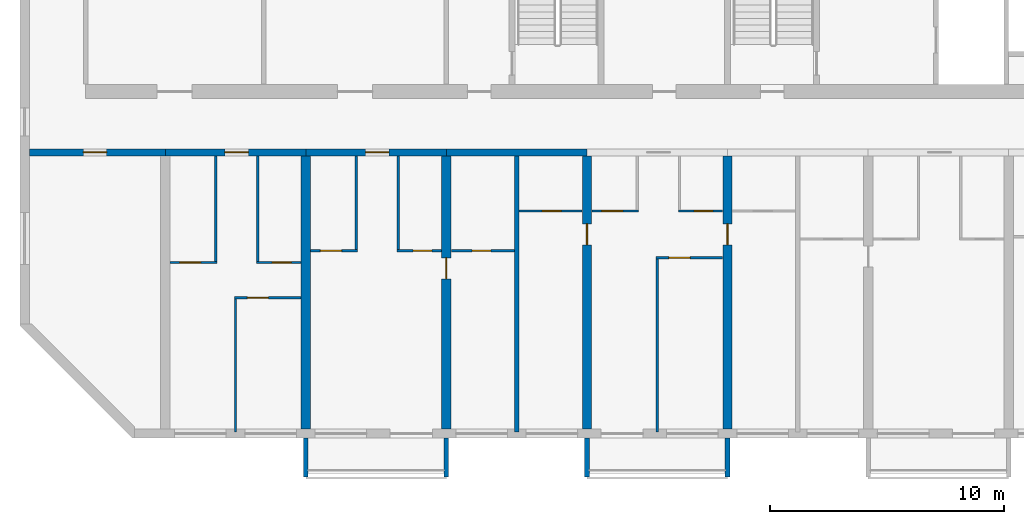
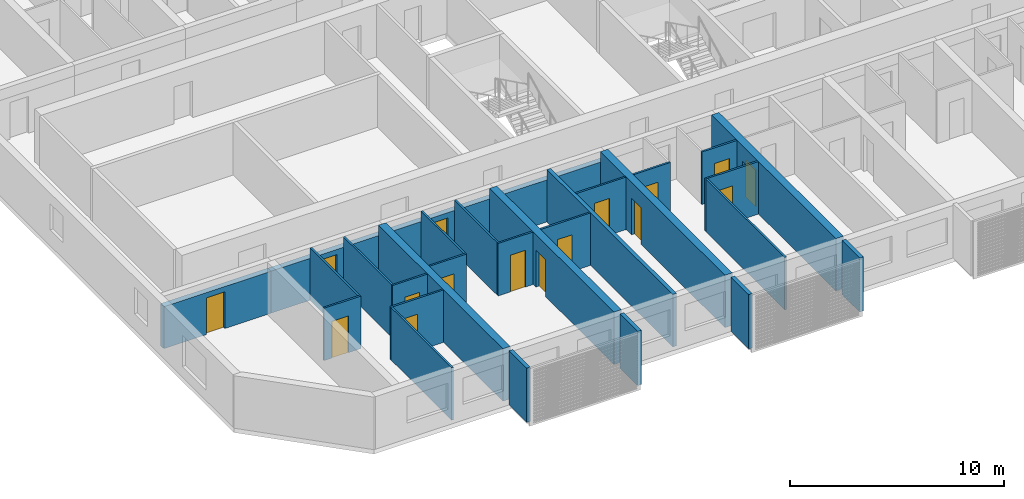
# One storey, part 2 of 38: 29 walls, 16 doors, 16 openings.
"""IFC4 building model written with IfcOpenShell, lengths in metres."""

import ifcopenshell
import ifcopenshell.guid

model = None  # the IFC model being written
_history = None  # IfcOwnerHistory: only IFC2X3 demands one
_inside = {}  # id of a spatial element -> (the spatial element, [elements in it])
_under = {}  # id of a project, library or spatial element -> (it, [spatial elements below it])
_declared = {}  # id of a project -> (the project, [libraries it declares])
_typed = {}  # id of a type object -> (the type object, [elements of that type])
_made_of = {}  # id of a material, layer set ... -> (it, [elements and type objects made of it])


def new_model(schema):
    """Start an empty IFC model of exactly this schema.

    Asked for "IFC4X3", IfcOpenShell would pick the latest addendum, in which some entities
    have other attributes; the version numbers below select the first issue.
    IFC2X3 requires an IfcOwnerHistory on every rooted entity: one is made here for all.
    """
    global model, _history
    if schema == "IFC4X3":
        model = ifcopenshell.file(schema_version=(4, 3, 0, 0))
    else:
        model = ifcopenshell.file(schema=schema)
    _inside.clear()
    _under.clear()
    _declared.clear()
    _typed.clear()
    _made_of.clear()
    _history = None
    if model.schema == "IFC2X3":
        org = make("IfcOrganization", Name="unknown")
        user = make(
            "IfcPersonAndOrganization",
            ThePerson=make("IfcPerson", FamilyName="unknown"),
            TheOrganization=org,
        )
        app = make(
            "IfcApplication",
            ApplicationDeveloper=org,
            Version="unknown",
            ApplicationFullName="unknown",
            ApplicationIdentifier="unknown",
        )
        _history = make(
            "IfcOwnerHistory",
            OwningUser=user,
            OwningApplication=app,
            ChangeAction="ADDED",
            CreationDate=0,
        )
    return model


def make(cls, **values):
    """One entity of the class cls with the attributes given. An attribute that is None is left unset."""
    return model.create_entity(
        cls, **{name: value for name, value in values.items() if value is not None}
    )


def rooted(cls, **values):
    """An entity with a GlobalId (a new one), such as an element, a storey or a relation."""
    return make(cls, GlobalId=ifcopenshell.guid.new(), OwnerHistory=_history, **values)


def si_unit(unit_type, name, prefix=None):
    """IfcSIUnit, for example si_unit("LENGTHUNIT", "METRE", prefix="MILLI")."""
    return make("IfcSIUnit", UnitType=unit_type, Prefix=prefix, Name=name)


def assignment(units):
    """IfcUnitAssignment: the units of a project."""
    return None if units is None else make("IfcUnitAssignment", Units=units)


def point(xyz):
    """IfcCartesianPoint."""
    return None if xyz is None else make("IfcCartesianPoint", Coordinates=xyz)


def direction(xyz):
    """IfcDirection."""
    return None if xyz is None else make("IfcDirection", DirectionRatios=xyz)


def frame(location, z_axis=None, x_axis=None):
    """IfcAxis2Placement3D, a coordinate frame: its origin and axes. An axis left out is left unset."""
    return make(
        "IfcAxis2Placement3D",
        Location=point(location),
        Axis=direction(z_axis),
        RefDirection=direction(x_axis),
    )


def frame_2d(location, x_axis=None):
    """IfcAxis2Placement2D, a coordinate frame in the plane: its origin and x axis."""
    return make(
        "IfcAxis2Placement2D", Location=point(location), RefDirection=direction(x_axis)
    )


def origin():
    """The frame at (0, 0, 0) with its axes left unset."""
    return frame((0.0, 0.0, 0.0))


def place(relative_to, where):
    """IfcLocalPlacement: puts the frame where relative to a parent placement (None: the world)."""
    return make(
        "IfcLocalPlacement", PlacementRelTo=relative_to, RelativePlacement=where
    )


def context(
    kind, dimensions, precision=None, world=None, true_north=None, identifier=None
):
    """IfcGeometricRepresentationContext, for example the 3D "Model" context."""
    return make(
        "IfcGeometricRepresentationContext",
        ContextIdentifier=identifier,
        ContextType=kind,
        CoordinateSpaceDimension=dimensions,
        Precision=precision,
        WorldCoordinateSystem=world,
        TrueNorth=true_north,
    )


def subcontext(parent, identifier, kind, view, scale=None):
    """IfcGeometricRepresentationSubContext, for example "Body" below "Model"."""
    return make(
        "IfcGeometricRepresentationSubContext",
        ContextIdentifier=identifier,
        ContextType=kind,
        ParentContext=parent,
        TargetScale=scale,
        TargetView=view,
    )


def project(units=None, contexts=None):
    """IfcProject with its units and contexts."""
    return rooted(
        "IfcProject",
        Name="project",
        RepresentationContexts=contexts,
        UnitsInContext=assignment(units),
    )


def spatial(cls, under=None, at=None, **own):
    """A site, building, storey or space (cls), placed at a placement, below another one or the project."""
    s = rooted(cls, ObjectPlacement=at, **own)
    if under is not None:
        _under.setdefault(under.id(), (under, []))[1].append(s)
    return s


def polyline(points):
    """IfcPolyline through the points."""
    return make("IfcPolyline", Points=[point(p) for p in points])


def profile(cls, at=None, kind="AREA", **sizes):
    """A parametric profile (cls). Its sizes go by their IFC names, for example OverallWidth=200.0."""
    return make(cls, ProfileType=kind, Position=at, **sizes)


def rectangle(**sizes):
    """IfcRectangleProfileDef."""
    return profile("IfcRectangleProfileDef", **sizes)


def outline(outer, holes=None, kind="AREA"):
    """IfcArbitraryClosedProfileDef: a profile drawn as a closed curve; with holes, ...WithVoids."""
    if holes is None:
        return make("IfcArbitraryClosedProfileDef", ProfileType=kind, OuterCurve=outer)
    return make(
        "IfcArbitraryProfileDefWithVoids",
        ProfileType=kind,
        OuterCurve=outer,
        InnerCurves=holes,
    )


def extrude(swept, where, along, depth):
    """IfcExtrudedAreaSolid: the profile swept, set in the frame where, extruded along a direction by depth."""
    return make(
        "IfcExtrudedAreaSolid",
        SweptArea=swept,
        Position=where,
        ExtrudedDirection=direction(along),
        Depth=depth,
    )


def shape(context_of_items, identifier, shape_type, items):
    """IfcShapeRepresentation: the items that make up one representation, for example the "Body"."""
    return make(
        "IfcShapeRepresentation",
        ContextOfItems=context_of_items,
        RepresentationIdentifier=identifier,
        RepresentationType=shape_type,
        Items=items,
    )


def source(mapping_origin, context_of_items, identifier, shape_type, items):
    """IfcRepresentationMap: a shape defined once, which mapped items show again and again."""
    return make(
        "IfcRepresentationMap",
        MappingOrigin=mapping_origin,
        MappedRepresentation=shape(context_of_items, identifier, shape_type, items),
    )


def transform(
    local_origin,
    x_axis=None,
    y_axis=None,
    z_axis=None,
    scale=None,
    scale2=None,
    scale3=None,
    uniform=True,
):
    """IfcCartesianTransformationOperator3D, or its non-uniform kind. x_axis, y_axis, z_axis: its Axis1, 2, 3."""
    if uniform:
        return make(
            "IfcCartesianTransformationOperator3D",
            Axis1=direction(x_axis),
            Axis2=direction(y_axis),
            LocalOrigin=point(local_origin),
            Scale=scale,
            Axis3=direction(z_axis),
        )
    return make(
        "IfcCartesianTransformationOperator3DnonUniform",
        Axis1=direction(x_axis),
        Axis2=direction(y_axis),
        LocalOrigin=point(local_origin),
        Scale=scale,
        Axis3=direction(z_axis),
        Scale2=scale2,
        Scale3=scale3,
    )


def mapped(mapping_source, mapping_target):
    """IfcMappedItem: shows the shape of a source again, moved by a transform."""
    return make(
        "IfcMappedItem", MappingSource=mapping_source, MappingTarget=mapping_target
    )


def material(Name=None, Category=None):
    """IfcMaterial."""
    return make("IfcMaterial", Name=Name, Category=Category)


def layer(
    of_material, thickness, ventilated=None, Name=None, Category=None, Priority=None
):
    """IfcMaterialLayer: one layer of a wall or slab, of a material (None: an air gap)."""
    return make(
        "IfcMaterialLayer",
        Material=of_material,
        LayerThickness=thickness,
        IsVentilated=ventilated,
        Name=Name,
        Category=Category,
        Priority=Priority,
    )


def layer_set(layers, Name=None):
    """IfcMaterialLayerSet."""
    return make("IfcMaterialLayerSet", MaterialLayers=layers, LayerSetName=Name)


def made_of(thing, what):
    """Note that an element or type object is made of a material, layer set ...; save() writes the relation."""
    if what is not None:
        _made_of.setdefault(what.id(), (what, []))[1].append(thing)
    return thing


def type_object(cls, material=None, **own):
    """A type object (cls), such as IfcWallType, which elements share."""
    return made_of(rooted(cls, **own), material)


def element(
    cls,
    number,
    at=None,
    inside=None,
    cuts=None,
    type_object=None,
    material=None,
    context=None,
    identifier="Body",
    shape_type=None,
    held_by="IfcProductDefinitionShape",
    body=None,
    shapes=None,
    **own,
):
    """One element of the class cls, such as IfcWall. Its Tag is "e" and its number.

    at: its placement. inside: the storey or other place that contains it. cuts: it is an
    opening in that element (IfcRelVoidsElement). A single representation is given by context,
    identifier, shape_type and body (its items); several are given by shapes. held_by: the class
    of the entity that holds the representations. save() writes the other relations.
    """
    e = rooted(cls, Tag="e%d" % number, ObjectPlacement=at, **own)
    if body is not None:
        shapes = [shape(context, identifier, shape_type, body)]
    if shapes is not None:
        e.Representation = make(held_by, Representations=shapes)
    if inside is not None:
        _inside.setdefault(inside.id(), (inside, []))[1].append(e)
    if cuts is not None:
        rooted(
            "IfcRelVoidsElement", RelatingBuildingElement=cuts, RelatedOpeningElement=e
        )
    if type_object is not None:
        _typed.setdefault(type_object.id(), (type_object, []))[1].append(e)
    return made_of(e, material)


def fill(opening, filler):
    """IfcRelFillsElement: the door or window that sits in an opening."""
    return rooted(
        "IfcRelFillsElement",
        RelatingOpeningElement=opening,
        RelatedBuildingElement=filler,
    )


def aggregate(whole, parts):
    """IfcRelAggregates: a whole, such as a stair, and the parts it consists of."""
    return rooted("IfcRelAggregates", RelatingObject=whole, RelatedObjects=parts)


def save(model, path):
    """Write the relations noted so far, then the file.

    IfcRelAggregates (storeys below a building ...), IfcRelContainedInSpatialStructure (elements
    in a storey), IfcRelDefinesByType, IfcRelAssociatesMaterial and IfcRelDeclares: one each for
    every whole, place, type object, material and project.
    """
    for whole, parts in _under.values():
        aggregate(whole, parts)
    for where, things in _inside.values():
        rooted(
            "IfcRelContainedInSpatialStructure",
            RelatedElements=things,
            RelatingStructure=where,
        )
    for kind, things in _typed.values():
        rooted("IfcRelDefinesByType", RelatedObjects=things, RelatingType=kind)
    for what, things in _made_of.values():
        rooted("IfcRelAssociatesMaterial", RelatedObjects=things, RelatingMaterial=what)
    for by, libraries in _declared.values():
        rooted("IfcRelDeclares", RelatingContext=by, RelatedDefinitions=libraries)
    model.write(path)


model = new_model("IFC4")

# Units and contexts
model_context = context("Model", 3, precision=1e-05, world=origin(), true_north=direction((0.0, 1.0)))
body_context = subcontext(model_context, "Body", "Model", "MODEL_VIEW")
ifc_project = project(units=[si_unit("LENGTHUNIT", "METRE"), si_unit("AREAUNIT", "SQUARE_METRE"), si_unit("VOLUMEUNIT", "CUBIC_METRE"), si_unit("PLANEANGLEUNIT", "RADIAN"), si_unit("MASSUNIT", "GRAM", prefix="KILO")], contexts=[model_context])

# Site, building, storey
site_placement = place(None, origin())
site = spatial("IfcSite", under=ifc_project, at=site_placement, CompositionType="ELEMENT")
building_placement = place(site_placement, origin())
building = spatial("IfcBuilding", under=site, at=building_placement, Name="Poui Terraces", CompositionType="ELEMENT")
storey_placement = place(building_placement, frame((0.0, 0.0, 49.800048828125)))
storey = spatial("IfcBuildingStorey", under=building, at=storey_placement, Name="L13", CompositionType="ELEMENT", Elevation=49.800048828125)

# Wall, opening, door
ifc_material_1 = material(Name="Concrete 80 MPa", Category="concrete")
ifc_layer_1 = layer(ifc_material_1, 0.300048828125)
ifc_layer_set_1 = layer_set([ifc_layer_1], Name="Concrete 80 MPa")
wall_type_1 = type_object("IfcWallType", Name="CORRIDOR WALL 300 80MPa", PredefinedType="SHEAR", material=ifc_layer_set_1)
wall_1_placement = place(storey_placement, frame((0.199951171875, 12.0, 0.0), z_axis=(0.0, 0.0, 1.0), x_axis=(1.0, 0.0, 0.0)))
wall_1 = element("IfcWall", 1, at=wall_1_placement, inside=storey, type_object=wall_type_1, Name="CORRIDOR WALL LINE B BAY 1", PredefinedType="SHEAR", context=body_context, shape_type="SweptSolid", body=[
    extrude(rectangle(XDim=5.800048828125, YDim=0.300048828125, at=frame_2d((2.89990234375, 0.0))), origin(), (0.0, 0.0, 1.0), 2.39990234375),
])
opening_1_placement = place(wall_1_placement, frame((2.300048828125, 0.0, 0.0)))
opening_1 = element("IfcOpeningElement", 2, at=opening_1_placement, cuts=wall_1, Name="Opening D100", PredefinedType="OPENING", context=body_context, shape_type="SweptSolid", body=[
    extrude(rectangle(XDim=1.0, YDim=2.10009765625, at=frame_2d((0.5, 1.050048828125))), frame((0.0, 0.16015625, 0.0), z_axis=(0.0, -1.0, 0.0), x_axis=(1.0, 0.0, 0.0)), (0.0, 0.0, 1.0), 0.320068359375),
])
ifc_material_2 = material(Name="Solid core timber door", Category="wood")
door_type_1 = type_object("IfcDoorType", Name="ACCESSIBLE INTERNAL DOOR 1000 X 2100", OperationType="NOTDEFINED", PredefinedType="DOOR", material=ifc_material_2)
door_1_placement = place(opening_1_placement, frame((1.0, 0.0, 0.0), z_axis=(0.0, 0.0, 1.0), x_axis=(-1.0, 0.0, 0.0)))
door_1 = element("IfcDoor", 3, at=door_1_placement, inside=storey, type_object=door_type_1, Name="ACCESSIBLE INTERNAL DOOR 091", OperationType="SINGLE_SWING_RIGHT", OverallHeight=2.10009765625, OverallWidth=1.0, PredefinedType="DOOR", context=body_context, shape_type="SweptSolid", body=[
    extrude(rectangle(XDim=1.0, YDim=2.10009765625, at=frame_2d((0.5, 1.050048828125))), frame((0.0, 0.02490234375, 0.0), z_axis=(0.0, -1.0, 0.0), x_axis=(1.0, 0.0, 0.0)), (0.0, 0.0, 1.0), 0.050048828125),
])
fill(opening_1, door_1)

wall_2_placement = place(storey_placement, frame((6.0, 12.0, 0.0), z_axis=(0.0, 0.0, 1.0), x_axis=(1.0, 0.0, 0.0)))
wall_2 = element("IfcWall", 4, at=wall_2_placement, inside=storey, type_object=wall_type_1, Name="CORRIDOR WALL LINE B BAY 2", PredefinedType="SHEAR", context=body_context, shape_type="SweptSolid", body=[
    extrude(rectangle(XDim=6.0, YDim=0.300048828125, at=frame_2d((3.0, 0.0))), origin(), (0.0, 0.0, 1.0), 2.39990234375),
])
opening_2_placement = place(wall_2_placement, frame((2.550048828125, 0.0, 0.0)))
opening_2 = element("IfcOpeningElement", 5, at=opening_2_placement, cuts=wall_2, Name="Opening FD30S", PredefinedType="OPENING", context=body_context, shape_type="SweptSolid", body=[
    extrude(rectangle(XDim=1.0, YDim=2.10009765625, at=frame_2d((0.5, 1.050048828125))), frame((0.0, 0.16015625, 0.0), z_axis=(0.0, -1.0, 0.0), x_axis=(1.0, 0.0, 0.0)), (0.0, 0.0, 1.0), 0.320068359375),
])
ifc_material_3 = material(Name="Steel fire door", Category="steel")
door_type_2 = type_object("IfcDoorType", Name="FLAT ENTRANCE DOOR 1000 X 2100", OperationType="NOTDEFINED", PredefinedType="DOOR", material=ifc_material_3)
door_2_placement = place(opening_2_placement, frame((1.0, 0.0, 0.0), z_axis=(0.0, 0.0, 1.0), x_axis=(-1.0, 0.0, 0.0)))
door_2 = element("IfcDoor", 6, at=door_2_placement, inside=storey, type_object=door_type_2, Name="FLAT ENTRANCE DOOR 093", OperationType="SINGLE_SWING_LEFT", OverallHeight=2.10009765625, OverallWidth=1.0, PredefinedType="DOOR", context=body_context, shape_type="SweptSolid", body=[
    extrude(rectangle(XDim=1.0, YDim=2.10009765625, at=frame_2d((0.5, 1.050048828125))), frame((0.0, 0.02490234375, 0.0), z_axis=(0.0, -1.0, 0.0), x_axis=(1.0, 0.0, 0.0)), (0.0, 0.0, 1.0), 0.050048828125),
])
fill(opening_2, door_2)

wall_3_placement = place(storey_placement, frame((12.0, 12.0, 0.0), z_axis=(0.0, 0.0, 1.0), x_axis=(1.0, 0.0, 0.0)))
wall_3 = element("IfcWall", 7, at=wall_3_placement, inside=storey, type_object=wall_type_1, Name="CORRIDOR WALL LINE B BAY 3", PredefinedType="SHEAR", context=body_context, shape_type="SweptSolid", body=[
    extrude(rectangle(XDim=6.0, YDim=0.300048828125, at=frame_2d((3.0, 0.0))), origin(), (0.0, 0.0, 1.0), 2.39990234375),
])
opening_3_placement = place(wall_3_placement, frame((2.550048828125, 0.0, 0.0)))
opening_3 = element("IfcOpeningElement", 8, at=opening_3_placement, cuts=wall_3, Name="Opening FD30S", PredefinedType="OPENING", context=body_context, shape_type="SweptSolid", body=[
    extrude(rectangle(XDim=1.0, YDim=2.10009765625, at=frame_2d((0.5, 1.050048828125))), frame((0.0, 0.16015625, 0.0), z_axis=(0.0, -1.0, 0.0), x_axis=(1.0, 0.0, 0.0)), (0.0, 0.0, 1.0), 0.320068359375),
])
door_3_placement = place(opening_3_placement, frame((1.0, 0.0, 0.0), z_axis=(0.0, 0.0, 1.0), x_axis=(-1.0, 0.0, 0.0)))
door_3 = element("IfcDoor", 9, at=door_3_placement, inside=storey, type_object=door_type_2, Name="FLAT ENTRANCE DOOR 098", OperationType="SINGLE_SWING_LEFT", OverallHeight=2.10009765625, OverallWidth=1.0, PredefinedType="DOOR", context=body_context, shape_type="SweptSolid", body=[
    extrude(rectangle(XDim=1.0, YDim=2.10009765625, at=frame_2d((0.5, 1.050048828125))), frame((0.0, 0.02490234375, 0.0), z_axis=(0.0, -1.0, 0.0), x_axis=(1.0, 0.0, 0.0)), (0.0, 0.0, 1.0), 0.050048828125),
])
fill(opening_3, door_3)

# Walls
wall_4_placement = place(storey_placement, frame((18.0, 12.0, 0.0), z_axis=(0.0, 0.0, 1.0), x_axis=(1.0, 0.0, 0.0)))
element("IfcWall", 10, at=wall_4_placement, inside=storey, type_object=wall_type_1, Name="CORRIDOR WALL LINE B BAY 4", PredefinedType="SHEAR", context=body_context, shape_type="SweptSolid", body=[
    extrude(rectangle(XDim=6.0, YDim=0.300048828125, at=frame_2d((3.0, 0.0))), origin(), (0.0, 0.0, 1.0), 2.39990234375),
])
ifc_layer_2 = layer(ifc_material_1, 0.39990234375)
ifc_layer_set_2 = layer_set([ifc_layer_2], Name="Concrete 80 MPa")
wall_type_2 = type_object("IfcWallType", Name="CROSS WALL 400 80MPa", PredefinedType="SHEAR", material=ifc_layer_set_2)
wall_5_placement = place(storey_placement, frame((12.0, 0.199951171875, 0.0), z_axis=(0.0, 0.0, 1.0), x_axis=(0.0, 1.0, 0.0)))
element("IfcWall", 11, at=wall_5_placement, inside=storey, type_object=wall_type_2, Name="CROSS WALL LINE 3 SOUTH", PredefinedType="SHEAR", context=body_context, shape_type="SweptSolid", body=[
    extrude(rectangle(XDim=11.650146484375, YDim=0.39990234375, at=frame_2d((5.8251953125, 0.0))), origin(), (0.0, 0.0, 1.0), 3.0),
])

# Wall, opening, door
wall_6_placement = place(storey_placement, frame((18.0, 0.199951171875, 0.0), z_axis=(0.0, 0.0, 1.0), x_axis=(0.0, 1.0, 0.0)))
wall_6 = element("IfcWall", 12, at=wall_6_placement, inside=storey, type_object=wall_type_2, Name="CROSS WALL LINE 4 SOUTH", PredefinedType="SHEAR", context=body_context, shape_type="SweptSolid", body=[
    extrude(rectangle(XDim=11.650146484375, YDim=0.39990234375, at=frame_2d((5.8251953125, 0.0))), origin(), (0.0, 0.0, 1.0), 3.0),
])
opening_4_placement = place(wall_6_placement, frame((6.39990234375, 0.0, 0.0)))
opening_4 = element("IfcOpeningElement", 13, at=opening_4_placement, cuts=wall_6, Name="Opening D90", PredefinedType="OPENING", context=body_context, shape_type="SweptSolid", body=[
    extrude(rectangle(XDim=0.89990234375, YDim=2.10009765625, at=frame_2d((0.449951171875, 1.050048828125))), frame((0.0, 0.2099609375, 0.0), z_axis=(0.0, -1.0, 0.0), x_axis=(1.0, 0.0, 0.0)), (0.0, 0.0, 1.0), 0.419921875),
])
door_type_3 = type_object("IfcDoorType", Name="INTERNAL DOOR 900 X 2100", OperationType="NOTDEFINED", PredefinedType="DOOR", material=ifc_material_2)
door_4_placement = place(opening_4_placement, frame((0.89990234375, 0.0, 0.0), z_axis=(0.0, 0.0, 1.0), x_axis=(-1.0, 0.0, 0.0)))
door_4 = element("IfcDoor", 14, at=door_4_placement, inside=storey, type_object=door_type_3, Name="INTERNAL DOOR 100", OperationType="SINGLE_SWING_LEFT", OverallHeight=2.10009765625, OverallWidth=0.89990234375, PredefinedType="DOOR", context=body_context, shape_type="SweptSolid", body=[
    extrude(rectangle(XDim=0.89990234375, YDim=2.10009765625, at=frame_2d((0.449951171875, 1.050048828125))), frame((0.0, 0.02490234375, 0.0), z_axis=(0.0, -1.0, 0.0), x_axis=(1.0, 0.0, 0.0)), (0.0, 0.0, 1.0), 0.050048828125),
])
fill(opening_4, door_4)

wall_7_placement = place(storey_placement, frame((24.0, 0.199951171875, 0.0), z_axis=(0.0, 0.0, 1.0), x_axis=(0.0, 1.0, 0.0)))
wall_7 = element("IfcWall", 15, at=wall_7_placement, inside=storey, type_object=wall_type_2, Name="CROSS WALL LINE 5 SOUTH", PredefinedType="SHEAR", context=body_context, shape_type="SweptSolid", body=[
    extrude(rectangle(XDim=11.650146484375, YDim=0.39990234375, at=frame_2d((5.8251953125, 0.0))), origin(), (0.0, 0.0, 1.0), 3.0),
])
opening_5_placement = place(wall_7_placement, frame((7.85009765625, 0.0, 0.0)))
opening_5 = element("IfcOpeningElement", 16, at=opening_5_placement, cuts=wall_7, Name="Opening D90", PredefinedType="OPENING", context=body_context, shape_type="SweptSolid", body=[
    extrude(rectangle(XDim=0.89990234375, YDim=2.10009765625, at=frame_2d((0.449951171875, 1.050048828125))), frame((0.0, 0.2099609375, 0.0), z_axis=(0.0, -1.0, 0.0), x_axis=(1.0, 0.0, 0.0)), (0.0, 0.0, 1.0), 0.419921875),
])
door_5_placement = place(opening_5_placement, origin())
door_5 = element("IfcDoor", 17, at=door_5_placement, inside=storey, type_object=door_type_3, Name="INTERNAL DOOR 103", OperationType="SINGLE_SWING_RIGHT", OverallHeight=2.10009765625, OverallWidth=0.89990234375, PredefinedType="DOOR", context=body_context, shape_type="SweptSolid", body=[
    extrude(rectangle(XDim=0.89990234375, YDim=2.10009765625, at=frame_2d((0.449951171875, 1.050048828125))), frame((0.0, 0.02490234375, 0.0), z_axis=(0.0, -1.0, 0.0), x_axis=(1.0, 0.0, 0.0)), (0.0, 0.0, 1.0), 0.050048828125),
])
fill(opening_5, door_5)

wall_8_placement = place(storey_placement, frame((30.0, 0.199951171875, 0.0), z_axis=(0.0, 0.0, 1.0), x_axis=(0.0, 1.0, 0.0)))
wall_8 = element("IfcWall", 18, at=wall_8_placement, inside=storey, type_object=wall_type_2, Name="CROSS WALL LINE 6 SOUTH", PredefinedType="SHEAR", context=body_context, shape_type="SweptSolid", body=[
    extrude(rectangle(XDim=11.650146484375, YDim=0.39990234375, at=frame_2d((5.8251953125, 0.0))), origin(), (0.0, 0.0, 1.0), 3.0),
])
opening_6_placement = place(wall_8_placement, frame((7.85009765625, 0.0, 0.0)))
opening_6 = element("IfcOpeningElement", 19, at=opening_6_placement, cuts=wall_8, Name="Opening D90", PredefinedType="OPENING", context=body_context, shape_type="SweptSolid", body=[
    extrude(rectangle(XDim=0.89990234375, YDim=2.10009765625, at=frame_2d((0.449951171875, 1.050048828125))), frame((0.0, 0.2099609375, 0.0), z_axis=(0.0, -1.0, 0.0), x_axis=(1.0, 0.0, 0.0)), (0.0, 0.0, 1.0), 0.419921875),
])
door_6_placement = place(opening_6_placement, frame((0.89990234375, 0.0, 0.0), z_axis=(0.0, 0.0, 1.0), x_axis=(-1.0, 0.0, 0.0)))
door_6 = element("IfcDoor", 20, at=door_6_placement, inside=storey, type_object=door_type_3, Name="INTERNAL DOOR 108", OperationType="SINGLE_SWING_LEFT", OverallHeight=2.10009765625, OverallWidth=0.89990234375, PredefinedType="DOOR", context=body_context, shape_type="SweptSolid", body=[
    extrude(rectangle(XDim=0.89990234375, YDim=2.10009765625, at=frame_2d((0.449951171875, 1.050048828125))), frame((0.0, 0.02490234375, 0.0), z_axis=(0.0, -1.0, 0.0), x_axis=(1.0, 0.0, 0.0)), (0.0, 0.0, 1.0), 0.050048828125),
])
fill(opening_6, door_6)

ifc_material_4 = material(Name="Plasterboard partition")
ifc_layer_3 = layer(ifc_material_4, 0.10009765625)
ifc_layer_set_3 = layer_set([ifc_layer_3], Name="Plasterboard partition")
wall_type_3 = type_object("IfcWallType", Name="FLAT PARTITION 100", PredefinedType="PARTITIONING", material=ifc_layer_set_3)
wall_9_placement = place(storey_placement, frame((8.949951171875, 5.800048828125, 0.0), z_axis=(0.0, 0.0, 1.0), x_axis=(1.0, 0.0, 0.0)))
wall_9 = element("IfcWall", 21, at=wall_9_placement, inside=storey, type_object=wall_type_3, Name="FLAT PARTITION 100", PredefinedType="PARTITIONING", context=body_context, shape_type="SweptSolid", body=[
    extrude(rectangle(XDim=2.840087890625, YDim=0.10009765625, at=frame_2d((1.419921875, 0.0))), origin(), (0.0, 0.0, 1.0), 3.0),
])
opening_7_placement = place(wall_9_placement, frame((0.550048828125, 0.0, 0.0)))
opening_7 = element("IfcOpeningElement", 22, at=opening_7_placement, cuts=wall_9, Name="Opening D90", PredefinedType="OPENING", context=body_context, shape_type="SweptSolid", body=[
    extrude(rectangle(XDim=0.89990234375, YDim=2.10009765625, at=frame_2d((0.449951171875, 1.050048828125))), frame((0.0, 0.06005859375, 0.0), z_axis=(0.0, -1.0, 0.0), x_axis=(1.0, 0.0, 0.0)), (0.0, 0.0, 1.0), 0.1201171875),
])
door_7_placement = place(opening_7_placement, origin())
door_7 = element("IfcDoor", 23, at=door_7_placement, inside=storey, type_object=door_type_3, Name="INTERNAL DOOR 094", OperationType="SINGLE_SWING_RIGHT", OverallHeight=2.10009765625, OverallWidth=0.89990234375, PredefinedType="DOOR", context=body_context, shape_type="SweptSolid", body=[
    extrude(rectangle(XDim=0.89990234375, YDim=2.10009765625, at=frame_2d((0.449951171875, 1.050048828125))), frame((0.0, 0.02490234375, 0.0), z_axis=(0.0, -1.0, 0.0), x_axis=(1.0, 0.0, 0.0)), (0.0, 0.0, 1.0), 0.050048828125),
])
fill(opening_7, door_7)

wall_10_placement = place(storey_placement, frame((6.2099609375, 7.300048828125, 0.0), z_axis=(0.0, 0.0, 1.0), x_axis=(1.0, 0.0, 0.0)))
wall_10 = element("IfcWall", 24, at=wall_10_placement, inside=storey, type_object=wall_type_3, Name="FLAT PARTITION 100", PredefinedType="PARTITIONING", context=body_context, shape_type="SweptSolid", body=[
    extrude(rectangle(XDim=1.989990234375, YDim=0.10009765625, at=frame_2d((0.9951171875, 0.0))), origin(), (0.0, 0.0, 1.0), 3.0),
])
opening_8_placement = place(wall_10_placement, frame((0.4150390625, 0.0, 0.0)))
opening_8 = element("IfcOpeningElement", 25, at=opening_8_placement, cuts=wall_10, Name="Opening D90", PredefinedType="OPENING", context=body_context, shape_type="SweptSolid", body=[
    extrude(rectangle(XDim=0.89990234375, YDim=2.10009765625, at=frame_2d((0.449951171875, 1.050048828125))), frame((0.0, 0.06005859375, 0.0), z_axis=(0.0, -1.0, 0.0), x_axis=(1.0, 0.0, 0.0)), (0.0, 0.0, 1.0), 0.1201171875),
])
door_8_placement = place(opening_8_placement, origin())
door_8 = element("IfcDoor", 26, at=door_8_placement, inside=storey, type_object=door_type_3, Name="INTERNAL DOOR 092", OperationType="SINGLE_SWING_RIGHT", OverallHeight=2.10009765625, OverallWidth=0.89990234375, PredefinedType="DOOR", context=body_context, shape_type="SweptSolid", body=[
    extrude(rectangle(XDim=0.89990234375, YDim=2.10009765625, at=frame_2d((0.449951171875, 1.050048828125))), frame((0.0, 0.02490234375, 0.0), z_axis=(0.0, -1.0, 0.0), x_axis=(1.0, 0.0, 0.0)), (0.0, 0.0, 1.0), 0.050048828125),
])
fill(opening_8, door_8)

wall_11_placement = place(storey_placement, frame((9.89990234375, 7.300048828125, 0.0), z_axis=(0.0, 0.0, 1.0), x_axis=(1.0, 0.0, 0.0)))
wall_11 = element("IfcWall", 27, at=wall_11_placement, inside=storey, type_object=wall_type_3, Name="FLAT PARTITION 100", PredefinedType="PARTITIONING", context=body_context, shape_type="SweptSolid", body=[
    extrude(rectangle(XDim=1.89013671875, YDim=0.10009765625, at=frame_2d((0.945068359375, 0.0))), origin(), (0.0, 0.0, 1.0), 3.0),
])
opening_9_placement = place(wall_11_placement, frame((0.675048828125, 0.0, 0.0)))
opening_9 = element("IfcOpeningElement", 28, at=opening_9_placement, cuts=wall_11, Name="Opening D80", PredefinedType="OPENING", context=body_context, shape_type="SweptSolid", body=[
    extrude(rectangle(XDim=0.800048828125, YDim=2.10009765625, at=frame_2d((0.39990234375, 1.050048828125))), frame((0.0, 0.06005859375, 0.0), z_axis=(0.0, -1.0, 0.0), x_axis=(1.0, 0.0, 0.0)), (0.0, 0.0, 1.0), 0.1201171875),
])
door_type_4 = type_object("IfcDoorType", Name="BATHROOM, LAUNDRY AND STORE DOOR 800 X 2100", OperationType="NOTDEFINED", PredefinedType="DOOR", material=ifc_material_2)
door_9_placement = place(opening_9_placement, origin())
door_9 = element("IfcDoor", 29, at=door_9_placement, inside=storey, type_object=door_type_4, Name="BATHROOM, LAUNDRY AND STORE DOOR 095", OperationType="SINGLE_SWING_LEFT", OverallHeight=2.10009765625, OverallWidth=0.800048828125, PredefinedType="DOOR", context=body_context, shape_type="SweptSolid", body=[
    extrude(rectangle(XDim=0.800048828125, YDim=2.10009765625, at=frame_2d((0.39990234375, 1.050048828125))), frame((0.0, 0.02490234375, 0.0), z_axis=(0.0, -1.0, 0.0), x_axis=(1.0, 0.0, 0.0)), (0.0, 0.0, 1.0), 0.050048828125),
])
fill(opening_9, door_9)

wall_12_placement = place(storey_placement, frame((26.949951171875, 7.5, 0.0), z_axis=(0.0, 0.0, 1.0), x_axis=(1.0, 0.0, 0.0)))
wall_12 = element("IfcWall", 30, at=wall_12_placement, inside=storey, type_object=wall_type_3, Name="FLAT PARTITION 100", PredefinedType="PARTITIONING", context=body_context, shape_type="SweptSolid", body=[
    extrude(rectangle(XDim=2.840087890625, YDim=0.10009765625, at=frame_2d((1.419921875, 0.0))), origin(), (0.0, 0.0, 1.0), 3.0),
])
opening_10_placement = place(wall_12_placement, frame((0.550048828125, 0.0, 0.0)))
opening_10 = element("IfcOpeningElement", 31, at=opening_10_placement, cuts=wall_12, Name="Opening D90", PredefinedType="OPENING", context=body_context, shape_type="SweptSolid", body=[
    extrude(rectangle(XDim=0.89990234375, YDim=2.10009765625, at=frame_2d((0.449951171875, 1.050048828125))), frame((0.0, 0.06005859375, 0.0), z_axis=(0.0, -1.0, 0.0), x_axis=(1.0, 0.0, 0.0)), (0.0, 0.0, 1.0), 0.1201171875),
])
door_10_placement = place(opening_10_placement, origin())
door_10 = element("IfcDoor", 32, at=door_10_placement, inside=storey, type_object=door_type_3, Name="INTERNAL DOOR 106", OperationType="SINGLE_SWING_RIGHT", OverallHeight=2.10009765625, OverallWidth=0.89990234375, PredefinedType="DOOR", context=body_context, shape_type="SweptSolid", body=[
    extrude(rectangle(XDim=0.89990234375, YDim=2.10009765625, at=frame_2d((0.449951171875, 1.050048828125))), frame((0.0, 0.02490234375, 0.0), z_axis=(0.0, -1.0, 0.0), x_axis=(1.0, 0.0, 0.0)), (0.0, 0.0, 1.0), 0.050048828125),
])
fill(opening_10, door_10)

wall_13_placement = place(storey_placement, frame((12.2099609375, 7.800048828125, 0.0), z_axis=(0.0, 0.0, 1.0), x_axis=(1.0, 0.0, 0.0)))
wall_13 = element("IfcWall", 33, at=wall_13_placement, inside=storey, type_object=wall_type_3, Name="FLAT PARTITION 100", PredefinedType="PARTITIONING", context=body_context, shape_type="SweptSolid", body=[
    extrude(rectangle(XDim=1.989990234375, YDim=0.10009765625, at=frame_2d((0.9951171875, 0.0))), origin(), (0.0, 0.0, 1.0), 3.0),
])
opening_11_placement = place(wall_13_placement, frame((0.4150390625, 0.0, 0.0)))
opening_11 = element("IfcOpeningElement", 34, at=opening_11_placement, cuts=wall_13, Name="Opening D90", PredefinedType="OPENING", context=body_context, shape_type="SweptSolid", body=[
    extrude(rectangle(XDim=0.89990234375, YDim=2.10009765625, at=frame_2d((0.449951171875, 1.050048828125))), frame((0.0, 0.06005859375, 0.0), z_axis=(0.0, -1.0, 0.0), x_axis=(1.0, 0.0, 0.0)), (0.0, 0.0, 1.0), 0.1201171875),
])
door_11_placement = place(opening_11_placement, origin())
door_11 = element("IfcDoor", 35, at=door_11_placement, inside=storey, type_object=door_type_3, Name="INTERNAL DOOR 097", OperationType="SINGLE_SWING_RIGHT", OverallHeight=2.10009765625, OverallWidth=0.89990234375, PredefinedType="DOOR", context=body_context, shape_type="SweptSolid", body=[
    extrude(rectangle(XDim=0.89990234375, YDim=2.10009765625, at=frame_2d((0.449951171875, 1.050048828125))), frame((0.0, 0.02490234375, 0.0), z_axis=(0.0, -1.0, 0.0), x_axis=(1.0, 0.0, 0.0)), (0.0, 0.0, 1.0), 0.050048828125),
])
fill(opening_11, door_11)

wall_14_placement = place(storey_placement, frame((15.89990234375, 7.800048828125, 0.0), z_axis=(0.0, 0.0, 1.0), x_axis=(1.0, 0.0, 0.0)))
wall_14 = element("IfcWall", 36, at=wall_14_placement, inside=storey, type_object=wall_type_3, Name="FLAT PARTITION 100", PredefinedType="PARTITIONING", context=body_context, shape_type="SweptSolid", body=[
    extrude(rectangle(XDim=1.89013671875, YDim=0.10009765625, at=frame_2d((0.945068359375, 0.0))), origin(), (0.0, 0.0, 1.0), 3.0),
])
opening_12_placement = place(wall_14_placement, frame((0.675048828125, 0.0, 0.0)))
opening_12 = element("IfcOpeningElement", 37, at=opening_12_placement, cuts=wall_14, Name="Opening D80", PredefinedType="OPENING", context=body_context, shape_type="SweptSolid", body=[
    extrude(rectangle(XDim=0.800048828125, YDim=2.10009765625, at=frame_2d((0.39990234375, 1.050048828125))), frame((0.0, 0.06005859375, 0.0), z_axis=(0.0, -1.0, 0.0), x_axis=(1.0, 0.0, 0.0)), (0.0, 0.0, 1.0), 0.1201171875),
])
door_12_placement = place(opening_12_placement, origin())
door_12 = element("IfcDoor", 38, at=door_12_placement, inside=storey, type_object=door_type_4, Name="BATHROOM, LAUNDRY AND STORE DOOR 099", OperationType="SINGLE_SWING_LEFT", OverallHeight=2.10009765625, OverallWidth=0.800048828125, PredefinedType="DOOR", context=body_context, shape_type="SweptSolid", body=[
    extrude(rectangle(XDim=0.800048828125, YDim=2.10009765625, at=frame_2d((0.39990234375, 1.050048828125))), frame((0.0, 0.02490234375, 0.0), z_axis=(0.0, -1.0, 0.0), x_axis=(1.0, 0.0, 0.0)), (0.0, 0.0, 1.0), 0.050048828125),
])
fill(opening_12, door_12)

wall_15_placement = place(storey_placement, frame((18.2099609375, 7.800048828125, 0.0), z_axis=(0.0, 0.0, 1.0), x_axis=(1.0, 0.0, 0.0)))
wall_15 = element("IfcWall", 39, at=wall_15_placement, inside=storey, type_object=wall_type_3, Name="FLAT PARTITION 100", PredefinedType="PARTITIONING", context=body_context, shape_type="SweptSolid", body=[
    extrude(rectangle(XDim=2.68994140625, YDim=0.10009765625, at=frame_2d((1.344970703125, 0.0))), origin(), (0.0, 0.0, 1.0), 3.0),
])
opening_13_placement = place(wall_15_placement, frame((0.889892578125, 0.0, 0.0)))
opening_13 = element("IfcOpeningElement", 40, at=opening_13_placement, cuts=wall_15, Name="Opening D80", PredefinedType="OPENING", context=body_context, shape_type="SweptSolid", body=[
    extrude(rectangle(XDim=0.800048828125, YDim=2.10009765625, at=frame_2d((0.39990234375, 1.050048828125))), frame((0.0, 0.06005859375, 0.0), z_axis=(0.0, -1.0, 0.0), x_axis=(1.0, 0.0, 0.0)), (0.0, 0.0, 1.0), 0.1201171875),
])
door_13_placement = place(opening_13_placement, origin())
door_13 = element("IfcDoor", 41, at=door_13_placement, inside=storey, type_object=door_type_4, Name="BATHROOM, LAUNDRY AND STORE DOOR 096", OperationType="SINGLE_SWING_LEFT", OverallHeight=2.10009765625, OverallWidth=0.800048828125, PredefinedType="DOOR", context=body_context, shape_type="SweptSolid", body=[
    extrude(rectangle(XDim=0.800048828125, YDim=2.10009765625, at=frame_2d((0.39990234375, 1.050048828125))), frame((0.0, 0.02490234375, 0.0), z_axis=(0.0, -1.0, 0.0), x_axis=(1.0, 0.0, 0.0)), (0.0, 0.0, 1.0), 0.050048828125),
])
fill(opening_13, door_13)

wall_16_placement = place(storey_placement, frame((21.10009765625, 9.5, 0.0), z_axis=(0.0, 0.0, 1.0), x_axis=(1.0, 0.0, 0.0)))
wall_16 = element("IfcWall", 42, at=wall_16_placement, inside=storey, type_object=wall_type_3, Name="FLAT PARTITION 100", PredefinedType="PARTITIONING", context=body_context, shape_type="SweptSolid", body=[
    extrude(rectangle(XDim=2.68994140625, YDim=0.10009765625, at=frame_2d((1.344970703125, 0.0))), origin(), (0.0, 0.0, 1.0), 3.0),
])
opening_14_placement = place(wall_16_placement, frame((1.0, 0.0, 0.0)))
opening_14 = element("IfcOpeningElement", 43, at=opening_14_placement, cuts=wall_16, Name="Opening D80", PredefinedType="OPENING", context=body_context, shape_type="SweptSolid", body=[
    extrude(rectangle(XDim=0.800048828125, YDim=2.10009765625, at=frame_2d((0.39990234375, 1.050048828125))), frame((0.0, 0.06005859375, 0.0), z_axis=(0.0, -1.0, 0.0), x_axis=(1.0, 0.0, 0.0)), (0.0, 0.0, 1.0), 0.1201171875),
])
door_14_placement = place(opening_14_placement, origin())
door_14 = element("IfcDoor", 44, at=door_14_placement, inside=storey, type_object=door_type_4, Name="BATHROOM, LAUNDRY AND STORE DOOR 101", OperationType="SINGLE_SWING_RIGHT", OverallHeight=2.10009765625, OverallWidth=0.800048828125, PredefinedType="DOOR", context=body_context, shape_type="SweptSolid", body=[
    extrude(rectangle(XDim=0.800048828125, YDim=2.10009765625, at=frame_2d((0.39990234375, 1.050048828125))), frame((0.0, 0.02490234375, 0.0), z_axis=(0.0, -1.0, 0.0), x_axis=(1.0, 0.0, 0.0)), (0.0, 0.0, 1.0), 0.050048828125),
])
fill(opening_14, door_14)

wall_17_placement = place(storey_placement, frame((24.2099609375, 9.5, 0.0), z_axis=(0.0, 0.0, 1.0), x_axis=(1.0, 0.0, 0.0)))
wall_17 = element("IfcWall", 45, at=wall_17_placement, inside=storey, type_object=wall_type_3, Name="FLAT PARTITION 100", PredefinedType="PARTITIONING", context=body_context, shape_type="SweptSolid", body=[
    extrude(rectangle(XDim=1.989990234375, YDim=0.10009765625, at=frame_2d((0.9951171875, 0.0))), origin(), (0.0, 0.0, 1.0), 3.0),
])
opening_15_placement = place(wall_17_placement, frame((0.4150390625, 0.0, 0.0)))
opening_15 = element("IfcOpeningElement", 46, at=opening_15_placement, cuts=wall_17, Name="Opening D90", PredefinedType="OPENING", context=body_context, shape_type="SweptSolid", body=[
    extrude(rectangle(XDim=0.89990234375, YDim=2.10009765625, at=frame_2d((0.449951171875, 1.050048828125))), frame((0.0, 0.06005859375, 0.0), z_axis=(0.0, -1.0, 0.0), x_axis=(1.0, 0.0, 0.0)), (0.0, 0.0, 1.0), 0.1201171875),
])
door_15_placement = place(opening_15_placement, origin())
door_15 = element("IfcDoor", 47, at=door_15_placement, inside=storey, type_object=door_type_3, Name="INTERNAL DOOR 104", OperationType="SINGLE_SWING_RIGHT", OverallHeight=2.10009765625, OverallWidth=0.89990234375, PredefinedType="DOOR", context=body_context, shape_type="SweptSolid", body=[
    extrude(rectangle(XDim=0.89990234375, YDim=2.10009765625, at=frame_2d((0.449951171875, 1.050048828125))), frame((0.0, 0.02490234375, 0.0), z_axis=(0.0, -1.0, 0.0), x_axis=(1.0, 0.0, 0.0)), (0.0, 0.0, 1.0), 0.050048828125),
])
fill(opening_15, door_15)

wall_18_placement = place(storey_placement, frame((27.89990234375, 9.5, 0.0), z_axis=(0.0, 0.0, 1.0), x_axis=(1.0, 0.0, 0.0)))
wall_18 = element("IfcWall", 48, at=wall_18_placement, inside=storey, type_object=wall_type_3, Name="FLAT PARTITION 100", PredefinedType="PARTITIONING", context=body_context, shape_type="SweptSolid", body=[
    extrude(rectangle(XDim=1.89013671875, YDim=0.10009765625, at=frame_2d((0.945068359375, 0.0))), origin(), (0.0, 0.0, 1.0), 3.0),
])
opening_16_placement = place(wall_18_placement, frame((0.675048828125, 0.0, 0.0)))
opening_16 = element("IfcOpeningElement", 49, at=opening_16_placement, cuts=wall_18, Name="Opening D80", PredefinedType="OPENING", context=body_context, shape_type="SweptSolid", body=[
    extrude(rectangle(XDim=0.800048828125, YDim=2.10009765625, at=frame_2d((0.39990234375, 1.050048828125))), frame((0.0, 0.06005859375, 0.0), z_axis=(0.0, -1.0, 0.0), x_axis=(1.0, 0.0, 0.0)), (0.0, 0.0, 1.0), 0.1201171875),
])
door_16_placement = place(opening_16_placement, origin())
door_16 = element("IfcDoor", 50, at=door_16_placement, inside=storey, type_object=door_type_4, Name="BATHROOM, LAUNDRY AND STORE DOOR 107", OperationType="SINGLE_SWING_LEFT", OverallHeight=2.10009765625, OverallWidth=0.800048828125, PredefinedType="DOOR", context=body_context, shape_type="SweptSolid", body=[
    extrude(rectangle(XDim=0.800048828125, YDim=2.10009765625, at=frame_2d((0.39990234375, 1.050048828125))), frame((0.0, 0.02490234375, 0.0), z_axis=(0.0, -1.0, 0.0), x_axis=(1.0, 0.0, 0.0)), (0.0, 0.0, 1.0), 0.050048828125),
])
fill(opening_16, door_16)

# Walls
wall_19_placement = place(storey_placement, frame((8.14990234375, 7.35009765625, 0.0), z_axis=(0.0, 0.0, 1.0), x_axis=(0.0, 1.0, 0.0)))
element("IfcWall", 51, at=wall_19_placement, inside=storey, type_object=wall_type_3, Name="FLAT PARTITION 100", PredefinedType="PARTITIONING", context=body_context, shape_type="SweptSolid", body=[
    extrude(rectangle(XDim=4.489990234375, YDim=0.10009765625, at=frame_2d((2.2451171875, 0.0))), origin(), (0.0, 0.0, 1.0), 3.0),
])
wall_20_placement = place(storey_placement, frame((9.0, 0.06005859375, 0.0), z_axis=(0.0, 0.0, 1.0), x_axis=(0.0, 1.0, 0.0)))
element("IfcWall", 52, at=wall_20_placement, inside=storey, type_object=wall_type_3, Name="FLAT PARTITION 100", PredefinedType="PARTITIONING", context=body_context, shape_type="SweptSolid", body=[
    extrude(rectangle(XDim=5.68994140625, YDim=0.10009765625, at=frame_2d((2.844970703125, 0.0))), origin(), (0.0, 0.0, 1.0), 3.0),
])
wall_21_placement = place(storey_placement, frame((9.949951171875, 7.35009765625, 0.0), z_axis=(0.0, 0.0, 1.0), x_axis=(0.0, 1.0, 0.0)))
element("IfcWall", 53, at=wall_21_placement, inside=storey, type_object=wall_type_3, Name="FLAT PARTITION 100", PredefinedType="PARTITIONING", context=body_context, shape_type="SweptSolid", body=[
    extrude(rectangle(XDim=4.489990234375, YDim=0.10009765625, at=frame_2d((2.2451171875, 0.0))), origin(), (0.0, 0.0, 1.0), 3.0),
])
for number, where, z_axis, x_axis, name in (
    (54, (14.14990234375, 7.85009765625, 0.0), (0.0, 0.0, 1.0), (0.0, 1.0, 0.0), "FLAT PARTITION 100"),
    (55, (15.949951171875, 7.85009765625, 0.0), (0.0, 0.0, 1.0), (0.0, 1.0, 0.0), "FLAT PARTITION 100"),
):
    element("IfcWall", number, at=place(storey_placement, frame(where, z_axis=z_axis, x_axis=x_axis)), inside=storey, type_object=wall_type_3, Name=name, PredefinedType="PARTITIONING", context=body_context, shape_type="SweptSolid", body=[
        extrude(rectangle(XDim=3.989990234375, YDim=0.10009765625, at=frame_2d((1.9951171875, 0.0))), origin(), (0.0, 0.0, 1.0), 3.0),
    ])
wall_22_placement = place(storey_placement, frame((27.0, 0.06005859375, 0.0), z_axis=(0.0, 0.0, 1.0), x_axis=(0.0, 1.0, 0.0)))
element("IfcWall", 56, at=wall_22_placement, inside=storey, type_object=wall_type_3, Name="FLAT PARTITION 100", PredefinedType="PARTITIONING", context=body_context, shape_type="SweptSolid", body=[
    extrude(rectangle(XDim=7.389892578125, YDim=0.10009765625, at=frame_2d((3.69482421875, 0.0))), origin(), (0.0, 0.0, 1.0), 3.0),
])
ifc_material_5 = material(Name="Fire-rated masonry wall", Category="masonry")
ifc_layer_4 = layer(ifc_material_5, 0.199951171875)
ifc_layer_set_4 = layer_set([ifc_layer_4], Name="Fire-rated masonry wall")
wall_type_4 = type_object("IfcWallType", Name="FLAT PARTY WALL 200", PredefinedType="PARTITIONING", material=ifc_layer_set_4)
wall_23_placement = place(storey_placement, frame((21.0, 0.06005859375, 0.0), z_axis=(0.0, 0.0, 1.0), x_axis=(0.0, 1.0, 0.0)))
element("IfcWall", 57, at=wall_23_placement, inside=storey, type_object=wall_type_4, Name="FLAT PARTY WALL 200", PredefinedType="PARTITIONING", context=body_context, shape_type="SweptSolid", body=[
    extrude(rectangle(XDim=11.780029296875, YDim=0.199951171875, at=frame_2d((5.89013671875, 0.0))), origin(), (0.0, 0.0, 1.0), 3.0),
])
ifc_material_6 = material(Name="Precast concrete 40 MPa", Category="concrete")
ifc_layer_5 = layer(ifc_material_6, 0.199951171875)
ifc_layer_set_5 = layer_set([ifc_layer_5], Name="Precast concrete 40 MPa")
wall_type_5 = type_object("IfcWallType", Name="REAR FIN 200", PredefinedType="STANDARD", material=ifc_layer_set_5)
shared_shape = source(origin(), body_context, "Body", "SweptSolid", [
    extrude(outline(polyline([(0.0, 0.0), (0.2001953125, 0.0), (0.2001953125, 1.650146484375), (0.0, 1.650146484375), (0.0, 0.0)])), origin(), (0.0, 0.0, 1.0), 3.099853515625),
])
for number, where, name in (
    (58, (11.89990234375, -1.85009765625, 0.0), "REAR FIN"),
    (59, (17.89990234375, -1.85009765625, 0.0), "REAR FIN"),
    (60, (23.89990234375, -1.85009765625, 0.0), "REAR FIN"),
    (61, (29.89990234375, -1.85009765625, 0.0), "REAR FIN"),
):
    element("IfcWall", number, at=place(storey_placement, frame(where)), inside=storey, type_object=wall_type_5, Name=name, PredefinedType="STANDARD", context=body_context, shape_type="MappedRepresentation", body=[
        mapped(shared_shape, transform((0.0, 0.0, 0.0))),
    ])

save(model, "model.ifc")
